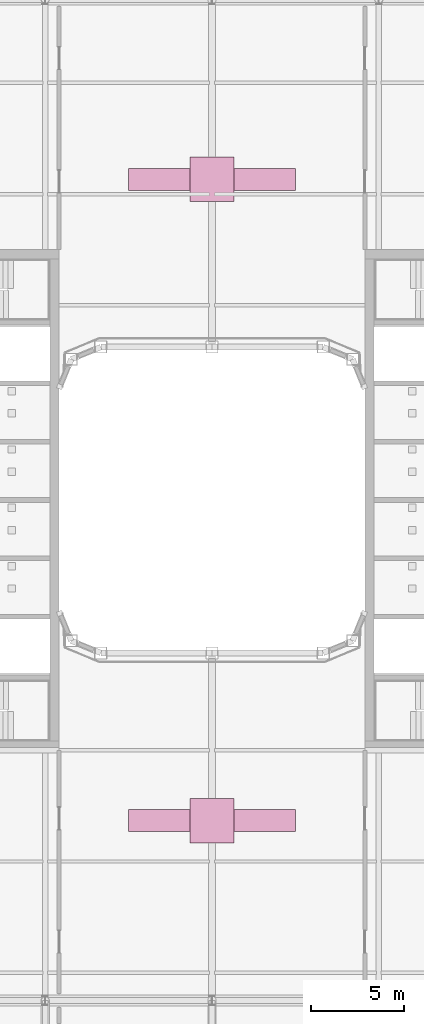
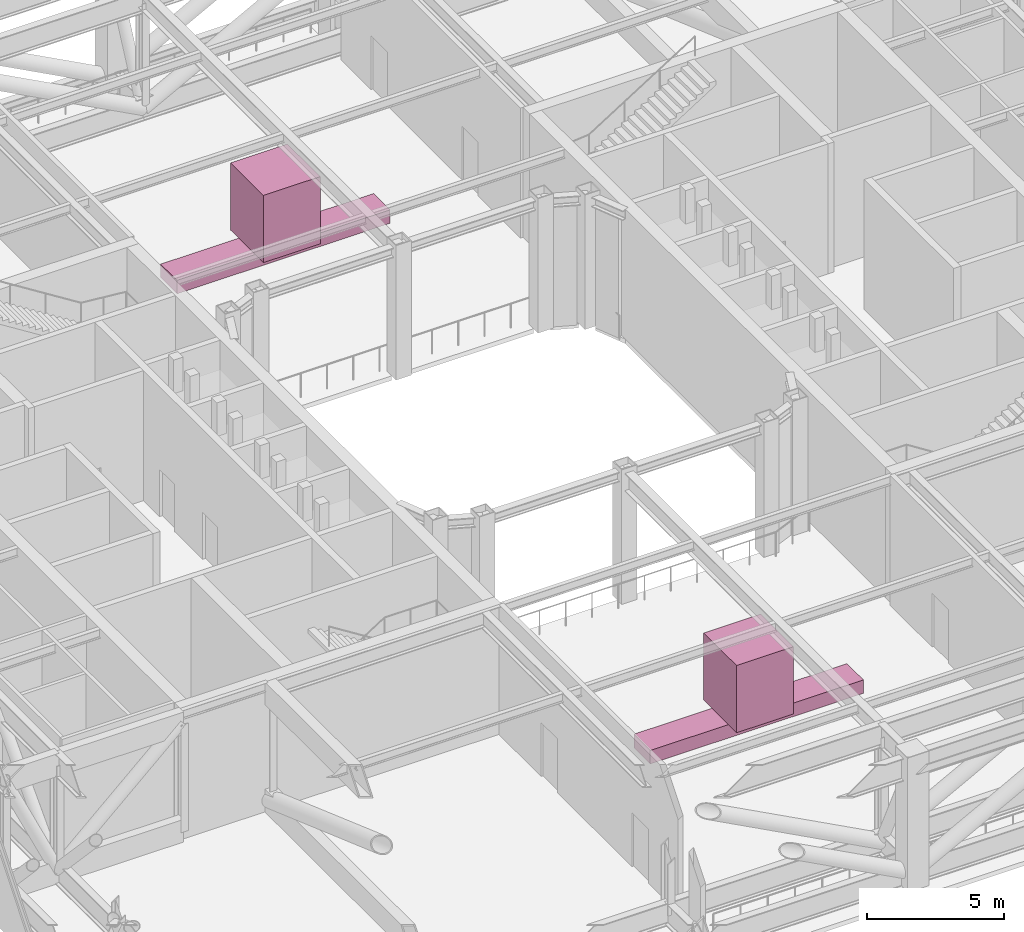
# One storey, part 22 of 22: 4 furnishings.
"""IFC4 building model written with IfcOpenShell, lengths in metres."""

from ifc_helpers import new_model, si_unit, direction, frame, origin, origin_2d, place, context, subcontext, project, spatial, rectangle, extrude, material, type_object, element, save


model = new_model("IFC4")

# Units and contexts
model_context = context("Model", 3, precision=1e-05, world=origin(), true_north=direction((0.0, 1.0)))
body_context = subcontext(model_context, "Body", "Model", "MODEL_VIEW")
ifc_project = project(units=[si_unit("LENGTHUNIT", "METRE"), si_unit("AREAUNIT", "SQUARE_METRE"), si_unit("VOLUMEUNIT", "CUBIC_METRE"), si_unit("PLANEANGLEUNIT", "RADIAN"), si_unit("MASSUNIT", "GRAM", prefix="KILO")], contexts=[model_context])

# Site, building, storey
site_placement = place(None, origin())
site = spatial("IfcSite", under=ifc_project, at=site_placement, CompositionType="ELEMENT")
building_placement = place(site_placement, origin())
building = spatial("IfcBuilding", under=site, at=building_placement, Name="Siwar Civic Tower", CompositionType="ELEMENT")
storey_placement = place(building_placement, frame((0.0, 0.0, 181.199951171875)))
storey = spatial("IfcBuildingStorey", under=building, at=storey_placement, Name="L39", CompositionType="ELEMENT", Elevation=181.199951171875)

# Furnishings
ifc_material_1 = material(Name="Planting soil and foliage")
furnishing_element_type_1 = type_object("IfcFurnishingElementType", Name="ENV-PLANTER", material=ifc_material_1)
for number, where, z_axis, x_axis, name in (
    (1, (0.0, 17.294921875, 0.0), (0.0, 0.0, 1.0), (1.0, 0.0, 0.0), "PLANTER sky portal N 1"),
    (2, (0.0, -17.294921875, 0.0), (0.0, 0.0, 1.0), (1.0, 0.0, 0.0), "PLANTER sky portal S 1"),
):
    element("IfcFurnishingElement", number, at=place(storey_placement, frame(where, z_axis=z_axis, x_axis=x_axis)), inside=storey, type_object=furnishing_element_type_1, Name=name, context=body_context, shape_type="SweptSolid", body=[
        extrude(rectangle(XDim=9.0, YDim=1.199951171875, at=origin_2d()), origin(), (0.0, 0.0, 1.0), 0.60009765625),
    ])
ifc_material_2 = material(Name="Planting soil and foliage")
furnishing_element_type_2 = type_object("IfcFurnishingElementType", Name="ENV-TREE", material=ifc_material_2)
for number, where, z_axis, x_axis, name in (
    (3, (0.0, 17.294921875, 0.60009765625), (0.0, 0.0, 1.0), (1.0, 0.0, 0.0), "PLANTER (TREE) sky portal N 1"),
    (4, (0.0, -17.294921875, 0.60009765625), (0.0, 0.0, 1.0), (1.0, 0.0, 0.0), "PLANTER (TREE) sky portal S 1"),
):
    element("IfcFurnishingElement", number, at=place(storey_placement, frame(where, z_axis=z_axis, x_axis=x_axis)), inside=storey, type_object=furnishing_element_type_2, Name=name, context=body_context, shape_type="SweptSolid", body=[
        extrude(rectangle(XDim=2.39990234375, YDim=2.39990234375, at=origin_2d()), origin(), (0.0, 0.0, 1.0), 3.0),
    ])

save(model, "model.ifc")
